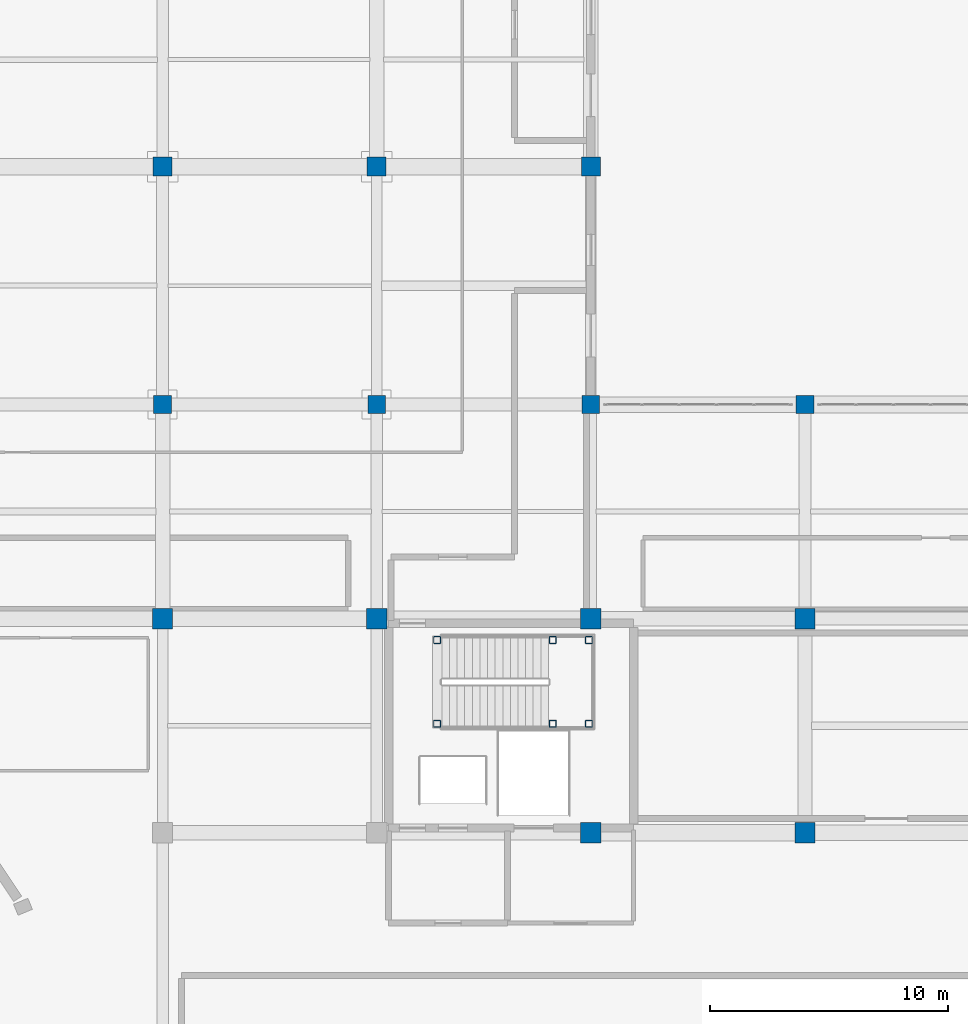
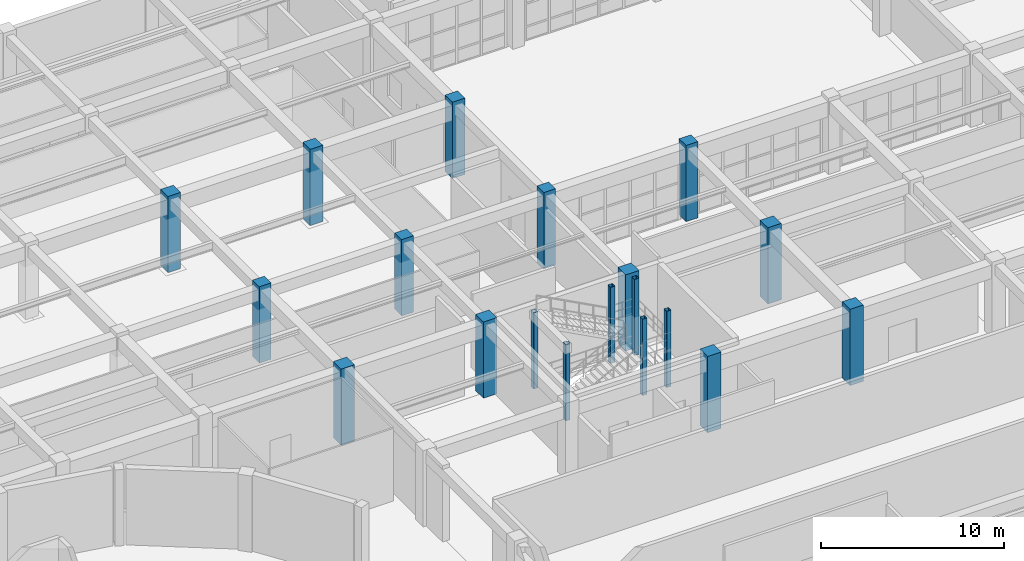
# One storey, part 11 of 128: 19 columns.
"""IFC4 building model written with IfcOpenShell, lengths in metres."""

import ifcopenshell
import ifcopenshell.guid

model = None  # the IFC model being written
_history = None  # IfcOwnerHistory: only IFC2X3 demands one
_inside = {}  # id of a spatial element -> (the spatial element, [elements in it])
_under = {}  # id of a project, library or spatial element -> (it, [spatial elements below it])
_declared = {}  # id of a project -> (the project, [libraries it declares])
_typed = {}  # id of a type object -> (the type object, [elements of that type])
_made_of = {}  # id of a material, layer set ... -> (it, [elements and type objects made of it])


def new_model(schema):
    """Start an empty IFC model of exactly this schema.

    Asked for "IFC4X3", IfcOpenShell would pick the latest addendum, in which some entities
    have other attributes; the version numbers below select the first issue.
    IFC2X3 requires an IfcOwnerHistory on every rooted entity: one is made here for all.
    """
    global model, _history
    if schema == "IFC4X3":
        model = ifcopenshell.file(schema_version=(4, 3, 0, 0))
    else:
        model = ifcopenshell.file(schema=schema)
    _inside.clear()
    _under.clear()
    _declared.clear()
    _typed.clear()
    _made_of.clear()
    _history = None
    if model.schema == "IFC2X3":
        org = make("IfcOrganization", Name="unknown")
        user = make(
            "IfcPersonAndOrganization",
            ThePerson=make("IfcPerson", FamilyName="unknown"),
            TheOrganization=org,
        )
        app = make(
            "IfcApplication",
            ApplicationDeveloper=org,
            Version="unknown",
            ApplicationFullName="unknown",
            ApplicationIdentifier="unknown",
        )
        _history = make(
            "IfcOwnerHistory",
            OwningUser=user,
            OwningApplication=app,
            ChangeAction="ADDED",
            CreationDate=0,
        )
    return model


def make(cls, **values):
    """One entity of the class cls with the attributes given. An attribute that is None is left unset."""
    return model.create_entity(
        cls, **{name: value for name, value in values.items() if value is not None}
    )


def rooted(cls, **values):
    """An entity with a GlobalId (a new one), such as an element, a storey or a relation."""
    return make(cls, GlobalId=ifcopenshell.guid.new(), OwnerHistory=_history, **values)


def si_unit(unit_type, name, prefix=None):
    """IfcSIUnit, for example si_unit("LENGTHUNIT", "METRE", prefix="MILLI")."""
    return make("IfcSIUnit", UnitType=unit_type, Prefix=prefix, Name=name)


def assignment(units):
    """IfcUnitAssignment: the units of a project."""
    return None if units is None else make("IfcUnitAssignment", Units=units)


def point(xyz):
    """IfcCartesianPoint."""
    return None if xyz is None else make("IfcCartesianPoint", Coordinates=xyz)


def direction(xyz):
    """IfcDirection."""
    return None if xyz is None else make("IfcDirection", DirectionRatios=xyz)


def frame(location, z_axis=None, x_axis=None):
    """IfcAxis2Placement3D, a coordinate frame: its origin and axes. An axis left out is left unset."""
    return make(
        "IfcAxis2Placement3D",
        Location=point(location),
        Axis=direction(z_axis),
        RefDirection=direction(x_axis),
    )


def frame_2d(location, x_axis=None):
    """IfcAxis2Placement2D, a coordinate frame in the plane: its origin and x axis."""
    return make(
        "IfcAxis2Placement2D", Location=point(location), RefDirection=direction(x_axis)
    )


def origin():
    """The frame at (0, 0, 0) with its axes left unset."""
    return frame((0.0, 0.0, 0.0))


def origin_2d():
    """The frame at (0, 0) in the plane with its x axis left unset."""
    return frame_2d((0.0, 0.0))


def place(relative_to, where):
    """IfcLocalPlacement: puts the frame where relative to a parent placement (None: the world)."""
    return make(
        "IfcLocalPlacement", PlacementRelTo=relative_to, RelativePlacement=where
    )


def context(
    kind, dimensions, precision=None, world=None, true_north=None, identifier=None
):
    """IfcGeometricRepresentationContext, for example the 3D "Model" context."""
    return make(
        "IfcGeometricRepresentationContext",
        ContextIdentifier=identifier,
        ContextType=kind,
        CoordinateSpaceDimension=dimensions,
        Precision=precision,
        WorldCoordinateSystem=world,
        TrueNorth=true_north,
    )


def subcontext(parent, identifier, kind, view, scale=None):
    """IfcGeometricRepresentationSubContext, for example "Body" below "Model"."""
    return make(
        "IfcGeometricRepresentationSubContext",
        ContextIdentifier=identifier,
        ContextType=kind,
        ParentContext=parent,
        TargetScale=scale,
        TargetView=view,
    )


def project(units=None, contexts=None):
    """IfcProject with its units and contexts."""
    return rooted(
        "IfcProject",
        Name="project",
        RepresentationContexts=contexts,
        UnitsInContext=assignment(units),
    )


def spatial(cls, under=None, at=None, **own):
    """A site, building, storey or space (cls), placed at a placement, below another one or the project."""
    s = rooted(cls, ObjectPlacement=at, **own)
    if under is not None:
        _under.setdefault(under.id(), (under, []))[1].append(s)
    return s


def profile(cls, at=None, kind="AREA", **sizes):
    """A parametric profile (cls). Its sizes go by their IFC names, for example OverallWidth=200.0."""
    return make(cls, ProfileType=kind, Position=at, **sizes)


def rectangle(**sizes):
    """IfcRectangleProfileDef."""
    return profile("IfcRectangleProfileDef", **sizes)


def hollow_rectangle(**sizes):
    """IfcRectangleHollowProfileDef."""
    return profile("IfcRectangleHollowProfileDef", **sizes)


def extrude(swept, where, along, depth):
    """IfcExtrudedAreaSolid: the profile swept, set in the frame where, extruded along a direction by depth."""
    return make(
        "IfcExtrudedAreaSolid",
        SweptArea=swept,
        Position=where,
        ExtrudedDirection=direction(along),
        Depth=depth,
    )


def shape(context_of_items, identifier, shape_type, items):
    """IfcShapeRepresentation: the items that make up one representation, for example the "Body"."""
    return make(
        "IfcShapeRepresentation",
        ContextOfItems=context_of_items,
        RepresentationIdentifier=identifier,
        RepresentationType=shape_type,
        Items=items,
    )


def material(Name=None, Category=None):
    """IfcMaterial."""
    return make("IfcMaterial", Name=Name, Category=Category)


def material_profile(
    of_material, cross_section, Name=None, Category=None, Priority=None
):
    """IfcMaterialProfile: a cross section and its material."""
    return make(
        "IfcMaterialProfile",
        Name=Name,
        Material=of_material,
        Profile=cross_section,
        Priority=Priority,
        Category=Category,
    )


def profile_set(profiles, Name=None, composite=None):
    """IfcMaterialProfileSet."""
    return make(
        "IfcMaterialProfileSet",
        Name=Name,
        MaterialProfiles=profiles,
        CompositeProfile=composite,
    )


def made_of(thing, what):
    """Note that an element or type object is made of a material, layer set ...; save() writes the relation."""
    if what is not None:
        _made_of.setdefault(what.id(), (what, []))[1].append(thing)
    return thing


def type_object(cls, material=None, **own):
    """A type object (cls), such as IfcWallType, which elements share."""
    return made_of(rooted(cls, **own), material)


def element(
    cls,
    number,
    at=None,
    inside=None,
    cuts=None,
    type_object=None,
    material=None,
    context=None,
    identifier="Body",
    shape_type=None,
    held_by="IfcProductDefinitionShape",
    body=None,
    shapes=None,
    **own,
):
    """One element of the class cls, such as IfcWall. Its Tag is "e" and its number.

    at: its placement. inside: the storey or other place that contains it. cuts: it is an
    opening in that element (IfcRelVoidsElement). A single representation is given by context,
    identifier, shape_type and body (its items); several are given by shapes. held_by: the class
    of the entity that holds the representations. save() writes the other relations.
    """
    e = rooted(cls, Tag="e%d" % number, ObjectPlacement=at, **own)
    if body is not None:
        shapes = [shape(context, identifier, shape_type, body)]
    if shapes is not None:
        e.Representation = make(held_by, Representations=shapes)
    if inside is not None:
        _inside.setdefault(inside.id(), (inside, []))[1].append(e)
    if cuts is not None:
        rooted(
            "IfcRelVoidsElement", RelatingBuildingElement=cuts, RelatedOpeningElement=e
        )
    if type_object is not None:
        _typed.setdefault(type_object.id(), (type_object, []))[1].append(e)
    return made_of(e, material)


def aggregate(whole, parts):
    """IfcRelAggregates: a whole, such as a stair, and the parts it consists of."""
    return rooted("IfcRelAggregates", RelatingObject=whole, RelatedObjects=parts)


def save(model, path):
    """Write the relations noted so far, then the file.

    IfcRelAggregates (storeys below a building ...), IfcRelContainedInSpatialStructure (elements
    in a storey), IfcRelDefinesByType, IfcRelAssociatesMaterial and IfcRelDeclares: one each for
    every whole, place, type object, material and project.
    """
    for whole, parts in _under.values():
        aggregate(whole, parts)
    for where, things in _inside.values():
        rooted(
            "IfcRelContainedInSpatialStructure",
            RelatedElements=things,
            RelatingStructure=where,
        )
    for kind, things in _typed.values():
        rooted("IfcRelDefinesByType", RelatedObjects=things, RelatingType=kind)
    for what, things in _made_of.values():
        rooted("IfcRelAssociatesMaterial", RelatedObjects=things, RelatingMaterial=what)
    for by, libraries in _declared.values():
        rooted("IfcRelDeclares", RelatingContext=by, RelatedDefinitions=libraries)
    model.write(path)


model = new_model("IFC4")

# Units and contexts
model_context = context("Model", 3, precision=1e-05, world=origin(), true_north=direction((0.0, 1.0)))
body_context = subcontext(model_context, "Body", "Model", "MODEL_VIEW")
ifc_project = project(units=[si_unit("LENGTHUNIT", "METRE"), si_unit("AREAUNIT", "SQUARE_METRE"), si_unit("VOLUMEUNIT", "CUBIC_METRE"), si_unit("PLANEANGLEUNIT", "RADIAN"), si_unit("MASSUNIT", "GRAM", prefix="KILO")], contexts=[model_context])

# Site, building, storey
site_placement = place(None, origin())
site = spatial("IfcSite", under=ifc_project, at=site_placement, CompositionType="ELEMENT")
building_placement = place(site_placement, origin())
building = spatial("IfcBuilding", under=site, at=building_placement, Name="Miravela Opera House", CompositionType="ELEMENT")
storey_placement = place(building_placement, origin())
storey = spatial("IfcBuildingStorey", under=building, at=storey_placement, Name="L00", CompositionType="ELEMENT", Elevation=0.0)

# Columns
ifc_material_1 = material(Name="Hollow structural steel ASTM A500 Gr. C", Category="steel")
ifc_material_profile_1 = material_profile(ifc_material_1, hollow_rectangle(XDim=0.300048828125, YDim=0.300048828125, WallThickness=0.01611328125, InnerFilletRadius=0.01611328125, OuterFilletRadius=0.031982421875, at=origin_2d()), Name="HSS300X300X16")
ifc_profile_set_1 = profile_set([ifc_material_profile_1])
column_type_1 = type_object("IfcColumnType", Name="STR-COL-HSS300", PredefinedType="COLUMN", material=ifc_profile_set_1)
for number, where, z_axis, x_axis, name in (
    (1, (110.5400390625, 70.580078125, 0.0), (0.0, 0.0, 1.0), (1.0, 0.0, 0.0), "Stair K3 Landing Support Column 1 (L00)"),
    (2, (110.5400390625, 74.10009765625, 0.0), (0.0, 0.0, 1.0), (1.0, 0.0, 0.0), "Stair K3 Landing Support Column 2 (L00)"),
    (3, (115.39990234375, 70.580078125, 0.0), (0.0, 0.0, 1.0), (1.0, 0.0, 0.0), "Stair K3 Landing Support Column 3 (L00)"),
    (4, (115.39990234375, 74.10009765625, 0.0), (0.0, 0.0, 1.0), (1.0, 0.0, 0.0), "Stair K3 Landing Support Column 4 (L00)"),
    (5, (116.919921875, 70.580078125, 0.0), (0.0, 0.0, 1.0), (1.0, 0.0, 0.0), "Stair K3 Landing Support Column 5 (L00)"),
    (6, (116.919921875, 74.10009765625, 0.0), (0.0, 0.0, 1.0), (1.0, 0.0, 0.0), "Stair K3 Landing Support Column 6 (L00)"),
):
    element("IfcColumn", number, at=place(storey_placement, frame(where, z_axis=z_axis, x_axis=x_axis)), inside=storey, type_object=column_type_1, Name=name, PredefinedType="COLUMN", context=body_context, shape_type="SweptSolid", body=[
        extrude(hollow_rectangle(XDim=0.300048828125, YDim=0.300048828125, WallThickness=0.01611328125, InnerFilletRadius=0.01611328125, OuterFilletRadius=0.031982421875, at=origin_2d()), origin(), (0.0, 0.0, 1.0), 5.10009765625),
    ])
ifc_material_2 = material(Name="Concrete C35/45", Category="concrete")
ifc_material_profile_2 = material_profile(ifc_material_2, rectangle(XDim=0.75, YDim=0.75, at=origin_2d()), Name="RC-COL-750X750")
ifc_profile_set_2 = profile_set([ifc_material_profile_2])
column_type_2 = type_object("IfcColumnType", Name="STR-COL-RC750", PredefinedType="COLUMN", material=ifc_profile_set_2)
for number, where, z_axis, x_axis, name in (
    (7, (99.0, 84.0, 0.0), (0.0, 0.0, 1.0), (1.0, 0.0, 0.0), "Column C-12J (L00)"),
    (8, (108.0, 84.0, 0.0), (0.0, 0.0, 1.0), (1.0, 0.0, 0.0), "Column C-13J (L00)"),
    (9, (117.0, 84.0, 0.0), (0.0, 0.0, 1.0), (1.0, 0.0, 0.0), "Column C-14J (L00)"),
    (10, (126.0, 84.0, 0.0), (0.0, 0.0, 1.0), (1.0, 0.0, 0.0), "Column C-15J (L00)"),
):
    element("IfcColumn", number, at=place(storey_placement, frame(where, z_axis=z_axis, x_axis=x_axis)), inside=storey, type_object=column_type_2, Name=name, PredefinedType="COLUMN", context=body_context, shape_type="SweptSolid", body=[
        extrude(rectangle(XDim=0.75, YDim=0.75, at=origin_2d()), origin(), (0.0, 0.0, 1.0), 5.10009765625),
    ])
ifc_material_3 = material(Name="Concrete C40/50", Category="concrete")
ifc_material_profile_3 = material_profile(ifc_material_3, rectangle(XDim=0.800048828125, YDim=0.800048828125, at=origin_2d()), Name="RC-COL-800X800")
ifc_profile_set_3 = profile_set([ifc_material_profile_3])
column_type_3 = type_object("IfcColumnType", Name="STR-COL-RC800", PredefinedType="COLUMN", material=ifc_profile_set_3)
for number, where, z_axis, x_axis, name in (
    (11, (99.0, 94.0, 0.0), (0.0, 0.0, 1.0), (1.0, 0.0, 0.0), "Column C-12K (L00)"),
    (12, (108.0, 94.0, 0.0), (0.0, 0.0, 1.0), (1.0, 0.0, 0.0), "Column C-13K (L00)"),
    (13, (117.0, 94.0, 0.0), (0.0, 0.0, 1.0), (1.0, 0.0, 0.0), "Column C-14K (L00)"),
):
    element("IfcColumn", number, at=place(storey_placement, frame(where, z_axis=z_axis, x_axis=x_axis)), inside=storey, type_object=column_type_3, Name=name, PredefinedType="COLUMN", context=body_context, shape_type="SweptSolid", body=[
        extrude(rectangle(XDim=0.800048828125, YDim=0.800048828125, at=origin_2d()), origin(), (0.0, 0.0, 1.0), 5.10009765625),
    ])
ifc_material_profile_4 = material_profile(ifc_material_3, rectangle(XDim=0.85009765625, YDim=0.85009765625, at=origin_2d()), Name="RC-COL-850X850")
ifc_profile_set_4 = profile_set([ifc_material_profile_4])
column_type_4 = type_object("IfcColumnType", Name="STR-COL-RC850", PredefinedType="COLUMN", material=ifc_profile_set_4)
for number, where, z_axis, x_axis, name in (
    (14, (99.0, 75.0, 0.0), (0.0, 0.0, 1.0), (1.0, 0.0, 0.0), "Column C-12I (L00)"),
    (15, (108.0, 75.0, 0.0), (0.0, 0.0, 1.0), (1.0, 0.0, 0.0), "Column C-13I (L00)"),
    (16, (117.0, 66.0, 0.0), (0.0, 0.0, 1.0), (1.0, 0.0, 0.0), "Column C-14H (L00)"),
    (17, (117.0, 75.0, 0.0), (0.0, 0.0, 1.0), (1.0, 0.0, 0.0), "Column C-14I (L00)"),
    (18, (126.0, 66.0, 0.0), (0.0, 0.0, 1.0), (1.0, 0.0, 0.0), "Column C-15H (L00)"),
    (19, (126.0, 75.0, 0.0), (0.0, 0.0, 1.0), (1.0, 0.0, 0.0), "Column C-15I (L00)"),
):
    element("IfcColumn", number, at=place(storey_placement, frame(where, z_axis=z_axis, x_axis=x_axis)), inside=storey, type_object=column_type_4, Name=name, PredefinedType="COLUMN", context=body_context, shape_type="SweptSolid", body=[
        extrude(rectangle(XDim=0.85009765625, YDim=0.85009765625, at=origin_2d()), origin(), (0.0, 0.0, 1.0), 5.10009765625),
    ])

save(model, "model.ifc")
